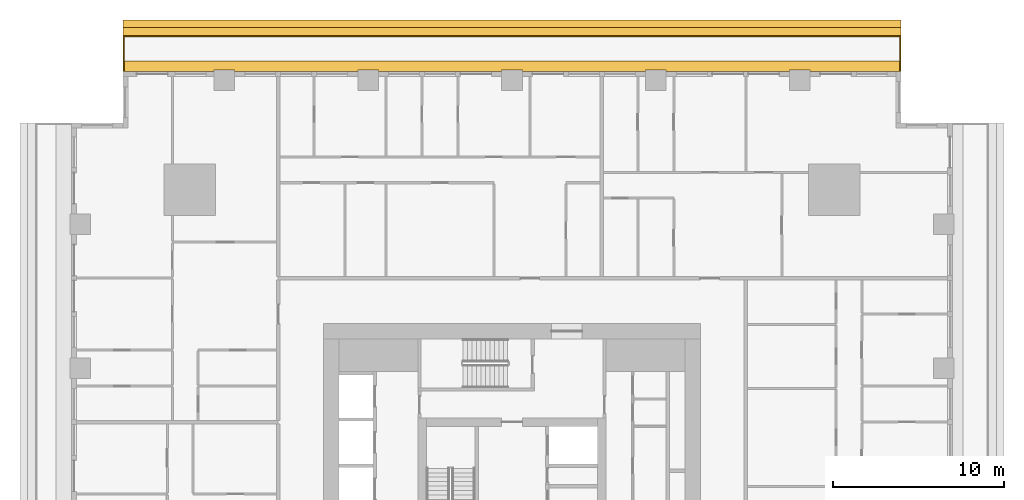
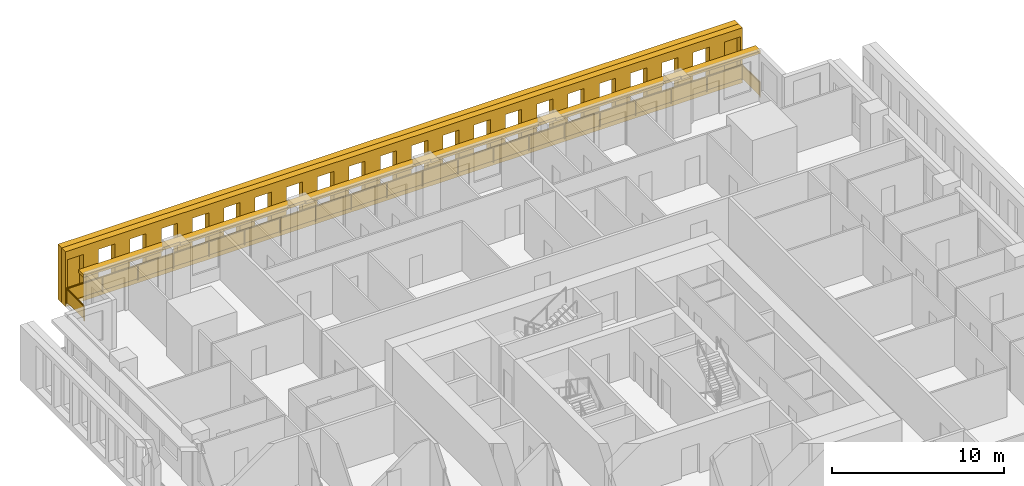
# One storey, part 15 of 15: 3 shading devices, 1 railing.
"""IFC4 building model written with IfcOpenShell, lengths in metres."""

from ifc_helpers import new_model, si_unit, direction, frame, origin, origin_2d, place, context, subcontext, project, spatial, polyline, rectangle, outline, extrude, material, layer, layer_set, type_object, element, save


model = new_model("IFC4")

# Units and contexts
model_context = context("Model", 3, precision=1e-05, world=origin(), true_north=direction((0.0, 1.0)))
body_context = subcontext(model_context, "Body", "Model", "MODEL_VIEW")
ifc_project = project(units=[si_unit("LENGTHUNIT", "METRE"), si_unit("AREAUNIT", "SQUARE_METRE"), si_unit("VOLUMEUNIT", "CUBIC_METRE"), si_unit("PLANEANGLEUNIT", "RADIAN"), si_unit("MASSUNIT", "GRAM", prefix="KILO")], contexts=[model_context])

# Site, building, storey
site_placement = place(None, origin())
site = spatial("IfcSite", under=ifc_project, at=site_placement, CompositionType="ELEMENT")
building_placement = place(site_placement, origin())
building = spatial("IfcBuilding", under=site, at=building_placement, Name="Khepri Terraces", CompositionType="ELEMENT")
storey_placement = place(building_placement, frame((0.0, 0.0, 50.39990234375)))
storey = spatial("IfcBuildingStorey", under=building, at=storey_placement, Name="L11", CompositionType="ELEMENT", Elevation=50.39990234375)

# Railing
ifc_material_1 = material(Name="Stainless steel grade 316", Category="steel")
railing_type = type_object("IfcRailingType", Name="GRD-BAL-1100", PredefinedType="GUARDRAIL", material=ifc_material_1)
railing_placement = place(storey_placement, frame((22.669921875, 25.719970703125, 0.0)))
element("IfcRailing", 1, at=railing_placement, inside=storey, type_object=railing_type, Name="Balcony guard L11 N", PredefinedType="GUARDRAIL", context=body_context, shape_type="SweptSolid", body=[
    extrude(rectangle(XDim=0.050048828125, YDim=0.06005859375, at=origin_2d()), frame((0.0, 0.0, 1.070068359375), z_axis=(0.0, 1.0, 0.0), x_axis=(-1.0, 0.0, 0.0)), (0.0, 0.0, 1.0), 2.050048828125),
    extrude(rectangle(XDim=2.0, YDim=0.011962890625, at=origin_2d()), frame((0.0, 1.02490234375, 0.10009765625), z_axis=(0.0, 0.0, 1.0), x_axis=(0.0, 1.0, 0.0)), (0.0, 0.0, 1.0), 0.93994140625),
    extrude(rectangle(XDim=0.050048828125, YDim=0.06005859375, at=origin_2d()), frame((0.0, 2.050048828125, 1.070068359375), z_axis=(-1.0, 0.0, 0.0), x_axis=(0.0, -1.0, 0.0)), (0.0, 0.0, 1.0), 45.33984375),
    extrude(rectangle(XDim=2.336181640625, YDim=0.011962890625, at=origin_2d()), frame((-1.193115234375, 2.050048828125, 0.10009765625), z_axis=(0.0, 0.0, 1.0), x_axis=(-1.0, 0.0, 0.0)), (0.0, 0.0, 1.0), 0.93994140625),
    extrude(rectangle(XDim=2.336181640625, YDim=0.011962890625, at=origin_2d()), frame((-3.579345703125, 2.050048828125, 0.10009765625), z_axis=(0.0, 0.0, 1.0), x_axis=(-1.0, 0.0, 0.0)), (0.0, 0.0, 1.0), 0.93994140625),
    extrude(rectangle(XDim=2.336181640625, YDim=0.011962890625, at=origin_2d()), frame((-5.9658203125, 2.050048828125, 0.10009765625), z_axis=(0.0, 0.0, 1.0), x_axis=(-1.0, 0.0, 0.0)), (0.0, 0.0, 1.0), 0.93994140625),
    extrude(rectangle(XDim=2.336181640625, YDim=0.011962890625, at=origin_2d()), frame((-8.35205078125, 2.050048828125, 0.10009765625), z_axis=(0.0, 0.0, 1.0), x_axis=(-1.0, 0.0, 0.0)), (0.0, 0.0, 1.0), 0.93994140625),
    extrude(rectangle(XDim=2.336181640625, YDim=0.011962890625, at=origin_2d()), frame((-10.73828125, 2.050048828125, 0.10009765625), z_axis=(0.0, 0.0, 1.0), x_axis=(-1.0, 0.0, 0.0)), (0.0, 0.0, 1.0), 0.93994140625),
    extrude(rectangle(XDim=2.336181640625, YDim=0.011962890625, at=origin_2d()), frame((-13.124755859375, 2.050048828125, 0.10009765625), z_axis=(0.0, 0.0, 1.0), x_axis=(-1.0, 0.0, 0.0)), (0.0, 0.0, 1.0), 0.93994140625),
    extrude(rectangle(XDim=2.336181640625, YDim=0.011962890625, at=origin_2d()), frame((-15.510986328125, 2.050048828125, 0.10009765625), z_axis=(0.0, 0.0, 1.0), x_axis=(-1.0, 0.0, 0.0)), (0.0, 0.0, 1.0), 0.93994140625),
    extrude(rectangle(XDim=2.336181640625, YDim=0.011962890625, at=origin_2d()), frame((-17.897216796875, 2.050048828125, 0.10009765625), z_axis=(0.0, 0.0, 1.0), x_axis=(-1.0, 0.0, 0.0)), (0.0, 0.0, 1.0), 0.93994140625),
    extrude(rectangle(XDim=2.336181640625, YDim=0.011962890625, at=origin_2d()), frame((-20.28369140625, 2.050048828125, 0.10009765625), z_axis=(0.0, 0.0, 1.0), x_axis=(-1.0, 0.0, 0.0)), (0.0, 0.0, 1.0), 0.93994140625),
    extrude(rectangle(XDim=2.336181640625, YDim=0.011962890625, at=origin_2d()), frame((-22.669921875, 2.050048828125, 0.10009765625), z_axis=(0.0, 0.0, 1.0), x_axis=(-1.0, 0.0, 0.0)), (0.0, 0.0, 1.0), 0.93994140625),
    extrude(rectangle(XDim=2.336181640625, YDim=0.011962890625, at=origin_2d()), frame((-25.05615234375, 2.050048828125, 0.10009765625), z_axis=(0.0, 0.0, 1.0), x_axis=(-1.0, 0.0, 0.0)), (0.0, 0.0, 1.0), 0.93994140625),
    extrude(rectangle(XDim=2.336181640625, YDim=0.011962890625, at=origin_2d()), frame((-27.442626953125, 2.050048828125, 0.10009765625), z_axis=(0.0, 0.0, 1.0), x_axis=(-1.0, 0.0, 0.0)), (0.0, 0.0, 1.0), 0.93994140625),
    extrude(rectangle(XDim=2.336181640625, YDim=0.011962890625, at=origin_2d()), frame((-29.828857421875, 2.050048828125, 0.10009765625), z_axis=(0.0, 0.0, 1.0), x_axis=(-1.0, 0.0, 0.0)), (0.0, 0.0, 1.0), 0.93994140625),
    extrude(rectangle(XDim=2.336181640625, YDim=0.011962890625, at=origin_2d()), frame((-32.215087890625, 2.050048828125, 0.10009765625), z_axis=(0.0, 0.0, 1.0), x_axis=(-1.0, 0.0, 0.0)), (0.0, 0.0, 1.0), 0.93994140625),
    extrude(rectangle(XDim=2.336181640625, YDim=0.011962890625, at=origin_2d()), frame((-34.6015625, 2.050048828125, 0.10009765625), z_axis=(0.0, 0.0, 1.0), x_axis=(-1.0, 0.0, 0.0)), (0.0, 0.0, 1.0), 0.93994140625),
    extrude(rectangle(XDim=2.336181640625, YDim=0.011962890625, at=origin_2d()), frame((-36.98779296875, 2.050048828125, 0.10009765625), z_axis=(0.0, 0.0, 1.0), x_axis=(-1.0, 0.0, 0.0)), (0.0, 0.0, 1.0), 0.93994140625),
    extrude(rectangle(XDim=2.336181640625, YDim=0.011962890625, at=origin_2d()), frame((-39.3740234375, 2.050048828125, 0.10009765625), z_axis=(0.0, 0.0, 1.0), x_axis=(-1.0, 0.0, 0.0)), (0.0, 0.0, 1.0), 0.93994140625),
    extrude(rectangle(XDim=2.336181640625, YDim=0.011962890625, at=origin_2d()), frame((-41.760498046875, 2.050048828125, 0.10009765625), z_axis=(0.0, 0.0, 1.0), x_axis=(-1.0, 0.0, 0.0)), (0.0, 0.0, 1.0), 0.93994140625),
    extrude(rectangle(XDim=2.336181640625, YDim=0.011962890625, at=origin_2d()), frame((-44.146728515625, 2.050048828125, 0.10009765625), z_axis=(0.0, 0.0, 1.0), x_axis=(-1.0, 0.0, 0.0)), (0.0, 0.0, 1.0), 0.93994140625),
    extrude(rectangle(XDim=0.050048828125, YDim=0.06005859375, at=origin_2d()), frame((-45.33984375, 2.050048828125, 1.070068359375), z_axis=(0.0, -1.0, 0.0), x_axis=(1.0, 0.0, 0.0)), (0.0, 0.0, 1.0), 2.050048828125),
    extrude(rectangle(XDim=2.0, YDim=0.011962890625, at=origin_2d()), frame((-45.33984375, 1.02490234375, 0.10009765625), z_axis=(0.0, 0.0, 1.0), x_axis=(0.0, -1.0, 0.0)), (0.0, 0.0, 1.0), 0.93994140625),
    extrude(rectangle(XDim=0.050048828125, YDim=0.050048828125, at=origin_2d()), origin(), (0.0, 0.0, 1.0), 1.0400390625),
    extrude(rectangle(XDim=0.050048828125, YDim=0.050048828125, at=origin_2d()), frame((0.0, 2.050048828125, 0.0)), (0.0, 0.0, 1.0), 1.0400390625),
    extrude(rectangle(XDim=0.050048828125, YDim=0.050048828125, at=origin_2d()), frame((-2.38623046875, 2.050048828125, 0.0)), (0.0, 0.0, 1.0), 1.0400390625),
    extrude(rectangle(XDim=0.050048828125, YDim=0.050048828125, at=origin_2d()), frame((-4.772705078125, 2.050048828125, 0.0)), (0.0, 0.0, 1.0), 1.0400390625),
    extrude(rectangle(XDim=0.050048828125, YDim=0.050048828125, at=origin_2d()), frame((-7.158935546875, 2.050048828125, 0.0)), (0.0, 0.0, 1.0), 1.0400390625),
    extrude(rectangle(XDim=0.050048828125, YDim=0.050048828125, at=origin_2d()), frame((-9.545166015625, 2.050048828125, 0.0)), (0.0, 0.0, 1.0), 1.0400390625),
    extrude(rectangle(XDim=0.050048828125, YDim=0.050048828125, at=origin_2d()), frame((-11.931640625, 2.050048828125, 0.0)), (0.0, 0.0, 1.0), 1.0400390625),
    extrude(rectangle(XDim=0.050048828125, YDim=0.050048828125, at=origin_2d()), frame((-14.31787109375, 2.050048828125, 0.0)), (0.0, 0.0, 1.0), 1.0400390625),
    extrude(rectangle(XDim=0.050048828125, YDim=0.050048828125, at=origin_2d()), frame((-16.7041015625, 2.050048828125, 0.0)), (0.0, 0.0, 1.0), 1.0400390625),
    extrude(rectangle(XDim=0.050048828125, YDim=0.050048828125, at=origin_2d()), frame((-19.090576171875, 2.050048828125, 0.0)), (0.0, 0.0, 1.0), 1.0400390625),
    extrude(rectangle(XDim=0.050048828125, YDim=0.050048828125, at=origin_2d()), frame((-21.476806640625, 2.050048828125, 0.0)), (0.0, 0.0, 1.0), 1.0400390625),
    extrude(rectangle(XDim=0.050048828125, YDim=0.050048828125, at=origin_2d()), frame((-23.863037109375, 2.050048828125, 0.0)), (0.0, 0.0, 1.0), 1.0400390625),
    extrude(rectangle(XDim=0.050048828125, YDim=0.050048828125, at=origin_2d()), frame((-26.249267578125, 2.050048828125, 0.0)), (0.0, 0.0, 1.0), 1.0400390625),
    extrude(rectangle(XDim=0.050048828125, YDim=0.050048828125, at=origin_2d()), frame((-28.6357421875, 2.050048828125, 0.0)), (0.0, 0.0, 1.0), 1.0400390625),
    extrude(rectangle(XDim=0.050048828125, YDim=0.050048828125, at=origin_2d()), frame((-31.02197265625, 2.050048828125, 0.0)), (0.0, 0.0, 1.0), 1.0400390625),
    extrude(rectangle(XDim=0.050048828125, YDim=0.050048828125, at=origin_2d()), frame((-33.408203125, 2.050048828125, 0.0)), (0.0, 0.0, 1.0), 1.0400390625),
    extrude(rectangle(XDim=0.050048828125, YDim=0.050048828125, at=origin_2d()), frame((-35.794677734375, 2.050048828125, 0.0)), (0.0, 0.0, 1.0), 1.0400390625),
    extrude(rectangle(XDim=0.050048828125, YDim=0.050048828125, at=origin_2d()), frame((-38.180908203125, 2.050048828125, 0.0)), (0.0, 0.0, 1.0), 1.0400390625),
    extrude(rectangle(XDim=0.050048828125, YDim=0.050048828125, at=origin_2d()), frame((-40.567138671875, 2.050048828125, 0.0)), (0.0, 0.0, 1.0), 1.0400390625),
    extrude(rectangle(XDim=0.050048828125, YDim=0.050048828125, at=origin_2d()), frame((-42.95361328125, 2.050048828125, 0.0)), (0.0, 0.0, 1.0), 1.0400390625),
    extrude(rectangle(XDim=0.050048828125, YDim=0.050048828125, at=origin_2d()), frame((-45.33984375, 2.050048828125, 0.0)), (0.0, 0.0, 1.0), 1.0400390625),
    extrude(rectangle(XDim=0.050048828125, YDim=0.050048828125, at=origin_2d()), frame((-45.33984375, 0.0, 0.0)), (0.0, 0.0, 1.0), 1.0400390625),
])

# Shading devices
ifc_material_2 = material(Name="Precast concrete C50/60 warm stone", Category="masonry")
shading_device_type_1 = type_object("IfcShadingDeviceType", Name="SCR-CELL-INNER-450", PredefinedType="USERDEFINED", material=ifc_material_2)
shading_device_1_placement = place(storey_placement, frame((22.719970703125, 27.820068359375, -0.25), z_axis=(0.0, 1.0, 0.0), x_axis=(-1.0, 0.0, 0.0)))
element("IfcShadingDevice", 2, at=shading_device_1_placement, inside=storey, type_object=shading_device_type_1, Name="Cell screen L11 N in", ObjectType="SCREEN", PredefinedType="USERDEFINED", context=body_context, shape_type="SweptSolid", body=[
    extrude(outline(polyline([(0.0, 0.0), (45.43994140625, 0.0), (45.43994140625, 3.89990234375), (0.0, 3.89990234375), (0.0, 0.0)]), holes=[polyline([(0.126708984375, 0.699951171875), (1.21337890625, 0.699951171875), (1.21337890625, 3.300048828125), (0.126708984375, 3.300048828125), (0.126708984375, 0.699951171875)]), polyline([(2.2265625, 0.699951171875), (3.3134765625, 0.699951171875), (3.3134765625, 3.300048828125), (2.2265625, 3.300048828125), (2.2265625, 0.699951171875)]), polyline([(4.32666015625, 0.699951171875), (5.413330078125, 0.699951171875), (5.413330078125, 3.300048828125), (4.32666015625, 3.300048828125), (4.32666015625, 0.699951171875)]), polyline([(6.426513671875, 0.699951171875), (7.513427734375, 0.699951171875), (7.513427734375, 3.300048828125), (6.426513671875, 3.300048828125), (6.426513671875, 0.699951171875)]), polyline([(8.526611328125, 0.699951171875), (9.61328125, 0.699951171875), (9.61328125, 3.300048828125), (8.526611328125, 3.300048828125), (8.526611328125, 0.699951171875)]), polyline([(10.626708984375, 0.699951171875), (11.71337890625, 0.699951171875), (11.71337890625, 3.300048828125), (10.626708984375, 3.300048828125), (10.626708984375, 0.699951171875)]), polyline([(12.7265625, 0.699951171875), (13.8134765625, 0.699951171875), (13.8134765625, 3.300048828125), (12.7265625, 3.300048828125), (12.7265625, 0.699951171875)]), polyline([(14.82666015625, 0.699951171875), (15.913330078125, 0.699951171875), (15.913330078125, 3.300048828125), (14.82666015625, 3.300048828125), (14.82666015625, 0.699951171875)]), polyline([(16.926513671875, 0.699951171875), (18.013427734375, 0.699951171875), (18.013427734375, 3.300048828125), (16.926513671875, 3.300048828125), (16.926513671875, 0.699951171875)]), polyline([(19.026611328125, 0.699951171875), (20.11328125, 0.699951171875), (20.11328125, 3.300048828125), (19.026611328125, 3.300048828125), (19.026611328125, 0.699951171875)]), polyline([(21.126708984375, 0.699951171875), (22.21337890625, 0.699951171875), (22.21337890625, 3.300048828125), (21.126708984375, 3.300048828125), (21.126708984375, 0.699951171875)]), polyline([(23.2265625, 0.699951171875), (24.3134765625, 0.699951171875), (24.3134765625, 3.300048828125), (23.2265625, 3.300048828125), (23.2265625, 0.699951171875)]), polyline([(25.32666015625, 0.699951171875), (26.413330078125, 0.699951171875), (26.413330078125, 3.300048828125), (25.32666015625, 3.300048828125), (25.32666015625, 0.699951171875)]), polyline([(27.426513671875, 0.699951171875), (28.513427734375, 0.699951171875), (28.513427734375, 3.300048828125), (27.426513671875, 3.300048828125), (27.426513671875, 0.699951171875)]), polyline([(29.526611328125, 0.699951171875), (30.61328125, 0.699951171875), (30.61328125, 3.300048828125), (29.526611328125, 3.300048828125), (29.526611328125, 0.699951171875)]), polyline([(31.626708984375, 0.699951171875), (32.71337890625, 0.699951171875), (32.71337890625, 3.300048828125), (31.626708984375, 3.300048828125), (31.626708984375, 0.699951171875)]), polyline([(33.7265625, 0.699951171875), (34.8134765625, 0.699951171875), (34.8134765625, 3.300048828125), (33.7265625, 3.300048828125), (33.7265625, 0.699951171875)]), polyline([(35.82666015625, 0.699951171875), (36.913330078125, 0.699951171875), (36.913330078125, 3.300048828125), (35.82666015625, 3.300048828125), (35.82666015625, 0.699951171875)]), polyline([(37.926513671875, 0.699951171875), (39.013427734375, 0.699951171875), (39.013427734375, 3.300048828125), (37.926513671875, 3.300048828125), (37.926513671875, 0.699951171875)]), polyline([(40.026611328125, 0.699951171875), (41.11328125, 0.699951171875), (41.11328125, 3.300048828125), (40.026611328125, 3.300048828125), (40.026611328125, 0.699951171875)]), polyline([(42.126708984375, 0.699951171875), (43.21337890625, 0.699951171875), (43.21337890625, 3.300048828125), (42.126708984375, 3.300048828125), (42.126708984375, 0.699951171875)]), polyline([(44.2265625, 0.699951171875), (45.3134765625, 0.699951171875), (45.3134765625, 3.300048828125), (44.2265625, 3.300048828125), (44.2265625, 0.699951171875)])]), origin(), (0.0, 0.0, 1.0), 0.449951171875),
])
shading_device_type_2 = type_object("IfcShadingDeviceType", Name="SCR-CELL-OUTER-450", PredefinedType="USERDEFINED", material=ifc_material_2)
shading_device_2_placement = place(storey_placement, frame((22.719970703125, 28.27001953125, -0.25), z_axis=(0.0, 1.0, 0.0), x_axis=(-1.0, 0.0, 0.0)))
element("IfcShadingDevice", 3, at=shading_device_2_placement, inside=storey, type_object=shading_device_type_2, Name="Cell screen L11 N out", ObjectType="SCREEN", PredefinedType="USERDEFINED", context=body_context, shape_type="SweptSolid", body=[
    extrude(outline(polyline([(0.0, 0.0), (45.43994140625, 0.0), (45.43994140625, 3.89990234375), (0.0, 3.89990234375), (0.0, 0.0)]), holes=[polyline([(1.876708984375, 0.449951171875), (3.663330078125, 0.449951171875), (3.663330078125, 3.550048828125), (1.876708984375, 3.550048828125), (1.876708984375, 0.449951171875)]), polyline([(3.9765625, 0.449951171875), (5.763427734375, 0.449951171875), (5.763427734375, 3.550048828125), (3.9765625, 3.550048828125), (3.9765625, 0.449951171875)]), polyline([(6.07666015625, 0.449951171875), (7.86328125, 0.449951171875), (7.86328125, 3.550048828125), (6.07666015625, 3.550048828125), (6.07666015625, 0.449951171875)]), polyline([(8.176513671875, 0.449951171875), (9.96337890625, 0.449951171875), (9.96337890625, 3.550048828125), (8.176513671875, 3.550048828125), (8.176513671875, 0.449951171875)]), polyline([(10.276611328125, 0.449951171875), (12.0634765625, 0.449951171875), (12.0634765625, 3.550048828125), (10.276611328125, 3.550048828125), (10.276611328125, 0.449951171875)]), polyline([(12.376708984375, 0.449951171875), (14.163330078125, 0.449951171875), (14.163330078125, 3.550048828125), (12.376708984375, 3.550048828125), (12.376708984375, 0.449951171875)]), polyline([(14.4765625, 0.449951171875), (16.263427734375, 0.449951171875), (16.263427734375, 3.550048828125), (14.4765625, 3.550048828125), (14.4765625, 0.449951171875)]), polyline([(16.57666015625, 0.449951171875), (18.36328125, 0.449951171875), (18.36328125, 3.550048828125), (16.57666015625, 3.550048828125), (16.57666015625, 0.449951171875)]), polyline([(18.676513671875, 0.449951171875), (20.46337890625, 0.449951171875), (20.46337890625, 3.550048828125), (18.676513671875, 3.550048828125), (18.676513671875, 0.449951171875)]), polyline([(20.776611328125, 0.449951171875), (22.5634765625, 0.449951171875), (22.5634765625, 3.550048828125), (20.776611328125, 3.550048828125), (20.776611328125, 0.449951171875)]), polyline([(22.876708984375, 0.449951171875), (24.663330078125, 0.449951171875), (24.663330078125, 3.550048828125), (22.876708984375, 3.550048828125), (22.876708984375, 0.449951171875)]), polyline([(24.9765625, 0.449951171875), (26.763427734375, 0.449951171875), (26.763427734375, 3.550048828125), (24.9765625, 3.550048828125), (24.9765625, 0.449951171875)]), polyline([(27.07666015625, 0.449951171875), (28.86328125, 0.449951171875), (28.86328125, 3.550048828125), (27.07666015625, 3.550048828125), (27.07666015625, 0.449951171875)]), polyline([(29.176513671875, 0.449951171875), (30.96337890625, 0.449951171875), (30.96337890625, 3.550048828125), (29.176513671875, 3.550048828125), (29.176513671875, 0.449951171875)]), polyline([(31.276611328125, 0.449951171875), (33.0634765625, 0.449951171875), (33.0634765625, 3.550048828125), (31.276611328125, 3.550048828125), (31.276611328125, 0.449951171875)]), polyline([(33.376708984375, 0.449951171875), (35.163330078125, 0.449951171875), (35.163330078125, 3.550048828125), (33.376708984375, 3.550048828125), (33.376708984375, 0.449951171875)]), polyline([(35.4765625, 0.449951171875), (37.263427734375, 0.449951171875), (37.263427734375, 3.550048828125), (35.4765625, 3.550048828125), (35.4765625, 0.449951171875)]), polyline([(37.57666015625, 0.449951171875), (39.36328125, 0.449951171875), (39.36328125, 3.550048828125), (37.57666015625, 3.550048828125), (37.57666015625, 0.449951171875)]), polyline([(39.676513671875, 0.449951171875), (41.46337890625, 0.449951171875), (41.46337890625, 3.550048828125), (39.676513671875, 3.550048828125), (39.676513671875, 0.449951171875)]), polyline([(41.776611328125, 0.449951171875), (43.5634765625, 0.449951171875), (43.5634765625, 3.550048828125), (41.776611328125, 3.550048828125), (41.776611328125, 0.449951171875)])]), origin(), (0.0, 0.0, 1.0), 0.449951171875),
])
ifc_layer = layer(ifc_material_2, 0.199951171875, Name="Precast concrete C50/60 warm stone", Category="masonry")
ifc_layer_set = layer_set([ifc_layer], Name="Precast concrete C50/60 warm stone")
shading_device_type_3 = type_object("IfcShadingDeviceType", Name="SSH-BAND-STONE-200-N", PredefinedType="USERDEFINED", material=ifc_layer_set)
shading_device_3_placement = place(storey_placement, frame((0.0, 0.0, 3.10009765625)))
element("IfcShadingDevice", 4, at=shading_device_3_placement, inside=storey, type_object=shading_device_type_3, Name="Sunshade band L11 N", ObjectType="SUNSHADE", PredefinedType="USERDEFINED", context=body_context, shape_type="SweptSolid", body=[
    extrude(outline(polyline([(17.39990234375, 25.719970703125), (22.719970703125, 25.719970703125), (22.719970703125, 26.320068359375), (-22.719970703125, 26.320068359375), (-22.719970703125, 25.719970703125), (-17.39990234375, 25.719970703125), (-17.39990234375, 25.800048828125), (-16.199951171875, 25.800048828125), (-16.199951171875, 25.719970703125), (-9.0, 25.719970703125), (-9.0, 25.800048828125), (-7.800048828125, 25.800048828125), (-7.800048828125, 25.719970703125), (-0.60009765625, 25.719970703125), (-0.60009765625, 25.800048828125), (0.60009765625, 25.800048828125), (0.60009765625, 25.719970703125), (7.800048828125, 25.719970703125), (7.800048828125, 25.800048828125), (9.0, 25.800048828125), (9.0, 25.719970703125), (16.199951171875, 25.719970703125), (16.199951171875, 25.800048828125), (17.39990234375, 25.800048828125), (17.39990234375, 25.719970703125)])), origin(), (0.0, 0.0, 1.0), 0.199951171875),
])

save(model, "model.ifc")
